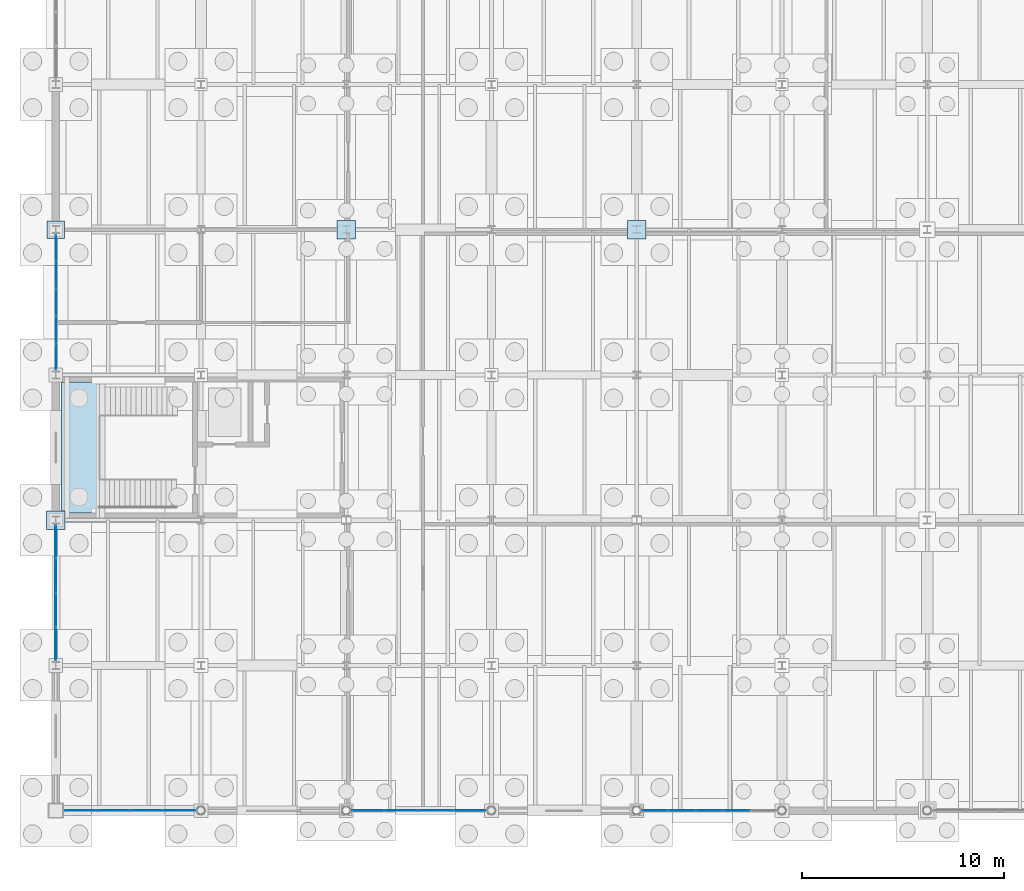
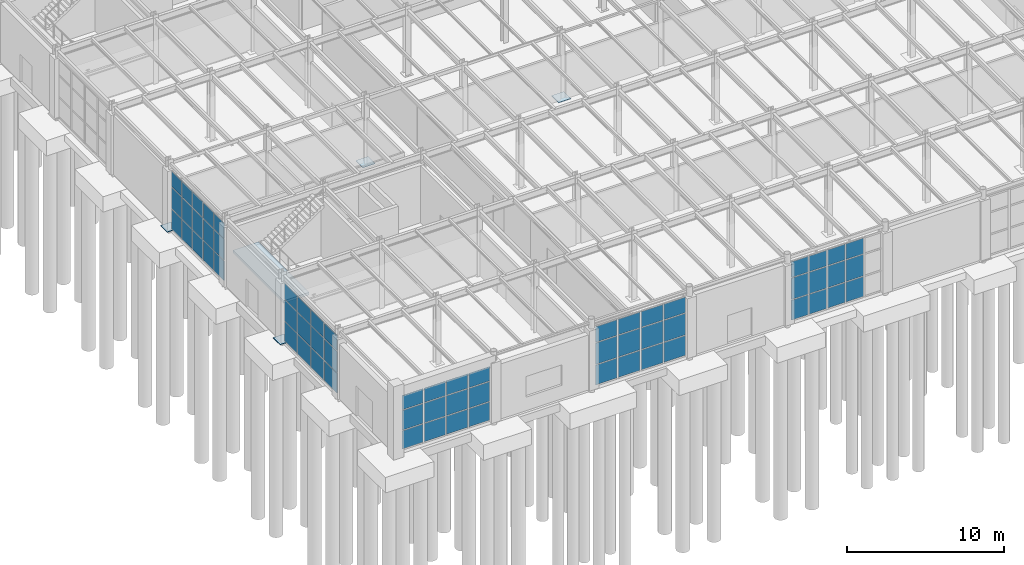
# One storey, part 232 of 293: 67 plates, 1 slab, 6 elements without a shape of their own.
"""IFC4 building model written with IfcOpenShell, lengths in metres."""

from ifc_helpers import new_model, si_unit, direction, frame, origin, origin_2d, place, context, subcontext, project, spatial, polyline, rectangle, outline, extrude, material, layer, layer_set, type_object, element, aggregate, save


model = new_model("IFC4")

# Units and contexts
model_context = context("Model", 3, precision=1e-05, world=origin(), true_north=direction((0.0, 1.0)))
body_context = subcontext(model_context, "Body", "Model", "MODEL_VIEW")
ifc_project = project(units=[si_unit("LENGTHUNIT", "METRE"), si_unit("AREAUNIT", "SQUARE_METRE"), si_unit("VOLUMEUNIT", "CUBIC_METRE"), si_unit("PLANEANGLEUNIT", "RADIAN"), si_unit("MASSUNIT", "GRAM", prefix="KILO")], contexts=[model_context])

# Site, building, storey
site_placement = place(None, origin())
site = spatial("IfcSite", under=ifc_project, at=site_placement, CompositionType="ELEMENT")
building_placement = place(site_placement, origin())
building = spatial("IfcBuilding", under=site, at=building_placement, Name="Kemerveld Promenade Tramway Depot", CompositionType="ELEMENT")
storey_placement = place(building_placement, origin())
storey = spatial("IfcBuildingStorey", under=building, at=storey_placement, Name="L00", CompositionType="ELEMENT", Elevation=0.0)

# Curtain wall, plates
ifc_material_1 = material(Name="Bronze anodised aluminium and solar glass", Category="aluminium")
ifc_layer_1 = layer(ifc_material_1, 0.159912109375)
ifc_layer_set_1 = layer_set([ifc_layer_1], Name="CW-SYS-09")
curtain_wall_type_1 = type_object("IfcCurtainWallType", Name="CW-SYS-09", PredefinedType="USERDEFINED", material=ifc_layer_set_1)
curtain_wall_1_placement = place(storey_placement, origin())
curtain_wall_1 = element("IfcCurtainWall", 1, at=curtain_wall_1_placement, inside=storey, type_object=curtain_wall_type_1, Name="CW-L00-V5S-06", ObjectType="GLAZED_CURTAIN_WALL", PredefinedType="USERDEFINED")
ifc_material_2 = material(Name="Solar-control laminated double glazing", Category="glass")
ifc_layer_2 = layer(ifc_material_2, 0.028076171875)
ifc_layer_set_2 = layer_set([ifc_layer_2], Name="CW-PNL-01")
plate_type_1 = type_object("IfcPlateType", Name="CW-PNL-01", PredefinedType="CURTAIN_PANEL", material=ifc_layer_set_2)
plate_1_placement = place(storey_placement, frame((20.516357421875, 0.0, 0.06005859375), z_axis=(0.0, 0.0, 1.0), x_axis=(-1.0, 0.0, 0.0)))
plate_1 = element("IfcPlate", 2, at=plate_1_placement, type_object=plate_type_1, Name="CW09 panel 1.1", PredefinedType="CURTAIN_PANEL", context=body_context, shape_type="SweptSolid", body=[
    extrude(rectangle(XDim=1.5908203125, YDim=0.028076171875, at=origin_2d()), origin(), (0.0, 0.0, 1.0), 1.537109375),
])
plate_2_placement = place(storey_placement, frame((20.516357421875, 0.0, 1.6572265625), z_axis=(0.0, 0.0, 1.0), x_axis=(-1.0, 0.0, 0.0)))
plate_2 = element("IfcPlate", 3, at=plate_2_placement, type_object=plate_type_1, Name="CW09 panel 1.2", PredefinedType="CURTAIN_PANEL", context=body_context, shape_type="SweptSolid", body=[
    extrude(rectangle(XDim=1.5908203125, YDim=0.028076171875, at=origin_2d()), origin(), (0.0, 0.0, 1.0), 1.660888671875),
])
plate_3_placement = place(storey_placement, frame((20.516357421875, 0.0, 3.3779296875), z_axis=(0.0, 0.0, 1.0), x_axis=(-1.0, 0.0, 0.0)))
plate_3 = element("IfcPlate", 4, at=plate_3_placement, type_object=plate_type_1, Name="CW09 panel 1.3", PredefinedType="CURTAIN_PANEL", context=body_context, shape_type="SweptSolid", body=[
    extrude(rectangle(XDim=1.5908203125, YDim=0.028076171875, at=origin_2d()), origin(), (0.0, 0.0, 1.0), 1.2119140625),
])
plate_4_placement = place(storey_placement, frame((18.84423828125, 0.0, 0.06005859375), z_axis=(0.0, 0.0, 1.0), x_axis=(-1.0, 0.0, 0.0)))
plate_4 = element("IfcPlate", 5, at=plate_4_placement, type_object=plate_type_1, Name="CW09 panel 2.1", PredefinedType="CURTAIN_PANEL", context=body_context, shape_type="SweptSolid", body=[
    extrude(rectangle(XDim=1.623291015625, YDim=0.028076171875, at=origin_2d()), origin(), (0.0, 0.0, 1.0), 1.537109375),
])
plate_5_placement = place(storey_placement, frame((18.84423828125, 0.0, 1.6572265625), z_axis=(0.0, 0.0, 1.0), x_axis=(-1.0, 0.0, 0.0)))
plate_5 = element("IfcPlate", 6, at=plate_5_placement, type_object=plate_type_1, Name="CW09 panel 2.2", PredefinedType="CURTAIN_PANEL", context=body_context, shape_type="SweptSolid", body=[
    extrude(rectangle(XDim=1.623291015625, YDim=0.028076171875, at=origin_2d()), origin(), (0.0, 0.0, 1.0), 1.660888671875),
])
plate_6_placement = place(storey_placement, frame((18.84423828125, 0.0, 3.3779296875), z_axis=(0.0, 0.0, 1.0), x_axis=(-1.0, 0.0, 0.0)))
plate_6 = element("IfcPlate", 7, at=plate_6_placement, type_object=plate_type_1, Name="CW09 panel 2.3", PredefinedType="CURTAIN_PANEL", context=body_context, shape_type="SweptSolid", body=[
    extrude(rectangle(XDim=1.623291015625, YDim=0.028076171875, at=origin_2d()), origin(), (0.0, 0.0, 1.0), 1.2119140625),
])
plate_7_placement = place(storey_placement, frame((17.15576171875, 0.0, 0.06005859375), z_axis=(0.0, 0.0, 1.0), x_axis=(-1.0, 0.0, 0.0)))
plate_7 = element("IfcPlate", 8, at=plate_7_placement, type_object=plate_type_1, Name="CW09 panel 3.1", PredefinedType="CURTAIN_PANEL", context=body_context, shape_type="SweptSolid", body=[
    extrude(rectangle(XDim=1.623291015625, YDim=0.028076171875, at=origin_2d()), origin(), (0.0, 0.0, 1.0), 1.537109375),
])
plate_8_placement = place(storey_placement, frame((17.15576171875, 0.0, 1.6572265625), z_axis=(0.0, 0.0, 1.0), x_axis=(-1.0, 0.0, 0.0)))
plate_8 = element("IfcPlate", 9, at=plate_8_placement, type_object=plate_type_1, Name="CW09 panel 3.2", PredefinedType="CURTAIN_PANEL", context=body_context, shape_type="SweptSolid", body=[
    extrude(rectangle(XDim=1.623291015625, YDim=0.028076171875, at=origin_2d()), origin(), (0.0, 0.0, 1.0), 1.660888671875),
])
plate_9_placement = place(storey_placement, frame((17.15576171875, 0.0, 3.3779296875), z_axis=(0.0, 0.0, 1.0), x_axis=(-1.0, 0.0, 0.0)))
plate_9 = element("IfcPlate", 10, at=plate_9_placement, type_object=plate_type_1, Name="CW09 panel 3.3", PredefinedType="CURTAIN_PANEL", context=body_context, shape_type="SweptSolid", body=[
    extrude(rectangle(XDim=1.623291015625, YDim=0.028076171875, at=origin_2d()), origin(), (0.0, 0.0, 1.0), 1.2119140625),
])
plate_10_placement = place(storey_placement, frame((15.483642578125, 0.0, 0.06005859375), z_axis=(0.0, 0.0, 1.0), x_axis=(-1.0, 0.0, 0.0)))
plate_10 = element("IfcPlate", 11, at=plate_10_placement, type_object=plate_type_1, Name="CW09 panel 4.1", PredefinedType="CURTAIN_PANEL", context=body_context, shape_type="SweptSolid", body=[
    extrude(rectangle(XDim=1.5908203125, YDim=0.028076171875, at=origin_2d()), origin(), (0.0, 0.0, 1.0), 1.537109375),
])
plate_11_placement = place(storey_placement, frame((15.483642578125, 0.0, 1.6572265625), z_axis=(0.0, 0.0, 1.0), x_axis=(-1.0, 0.0, 0.0)))
plate_11 = element("IfcPlate", 12, at=plate_11_placement, type_object=plate_type_1, Name="CW09 panel 4.2", PredefinedType="CURTAIN_PANEL", context=body_context, shape_type="SweptSolid", body=[
    extrude(rectangle(XDim=1.5908203125, YDim=0.028076171875, at=origin_2d()), origin(), (0.0, 0.0, 1.0), 1.660888671875),
])
plate_12_placement = place(storey_placement, frame((15.483642578125, 0.0, 3.3779296875), z_axis=(0.0, 0.0, 1.0), x_axis=(-1.0, 0.0, 0.0)))
plate_12 = element("IfcPlate", 13, at=plate_12_placement, type_object=plate_type_1, Name="CW09 panel 4.3", PredefinedType="CURTAIN_PANEL", context=body_context, shape_type="SweptSolid", body=[
    extrude(rectangle(XDim=1.5908203125, YDim=0.028076171875, at=origin_2d()), origin(), (0.0, 0.0, 1.0), 1.2119140625),
])
aggregate(curtain_wall_1, [plate_1, plate_2, plate_3, plate_4, plate_5, plate_6, plate_7, plate_8, plate_9, plate_10, plate_11, plate_12])

ifc_layer_3 = layer(ifc_material_1, 0.159912109375)
ifc_layer_set_3 = layer_set([ifc_layer_3], Name="CW-SYS-11")
curtain_wall_type_2 = type_object("IfcCurtainWallType", Name="CW-SYS-11", PredefinedType="USERDEFINED", material=ifc_layer_set_3)
curtain_wall_2_placement = place(storey_placement, origin())
curtain_wall_2 = element("IfcCurtainWall", 14, at=curtain_wall_2_placement, inside=storey, type_object=curtain_wall_type_2, Name="CW-L00-V5S-08", ObjectType="GLAZED_CURTAIN_WALL", PredefinedType="USERDEFINED")
ifc_layer_4 = layer(ifc_material_2, 0.028076171875)
ifc_layer_set_4 = layer_set([ifc_layer_4], Name="CW-PNL-03")
plate_type_2 = type_object("IfcPlateType", Name="CW-PNL-03", PredefinedType="CURTAIN_PANEL", material=ifc_layer_set_4)
plate_13_placement = place(storey_placement, frame((6.137939453125, 0.0, 0.06005859375), z_axis=(0.0, 0.0, 1.0), x_axis=(-1.0, 0.0, 0.0)))
plate_13 = element("IfcPlate", 15, at=plate_13_placement, type_object=plate_type_2, Name="CW11 panel 1.1", PredefinedType="CURTAIN_PANEL", context=body_context, shape_type="SweptSolid", body=[
    extrude(rectangle(XDim=1.5478515625, YDim=0.028076171875, at=origin_2d()), origin(), (0.0, 0.0, 1.0), 1.407958984375),
])
plate_14_placement = place(storey_placement, frame((6.137939453125, 0.0, 1.528076171875), z_axis=(0.0, 0.0, 1.0), x_axis=(-1.0, 0.0, 0.0)))
plate_14 = element("IfcPlate", 16, at=plate_14_placement, type_object=plate_type_2, Name="CW11 panel 1.2", PredefinedType="CURTAIN_PANEL", context=body_context, shape_type="SweptSolid", body=[
    extrude(rectangle(XDim=1.5478515625, YDim=0.028076171875, at=origin_2d()), origin(), (0.0, 0.0, 1.0), 1.52392578125),
])
plate_15_placement = place(storey_placement, frame((6.137939453125, 0.0, 3.112060546875), z_axis=(0.0, 0.0, 1.0), x_axis=(-1.0, 0.0, 0.0)))
plate_15 = element("IfcPlate", 17, at=plate_15_placement, type_object=plate_type_2, Name="CW11 panel 1.3", PredefinedType="CURTAIN_PANEL", context=body_context, shape_type="SweptSolid", body=[
    extrude(rectangle(XDim=1.5478515625, YDim=0.028076171875, at=origin_2d()), origin(), (0.0, 0.0, 1.0), 1.10791015625),
])
plate_16_placement = place(storey_placement, frame((4.508544921875, 0.0, 0.06005859375), z_axis=(0.0, 0.0, 1.0), x_axis=(-1.0, 0.0, 0.0)))
plate_16 = element("IfcPlate", 18, at=plate_16_placement, type_object=plate_type_2, Name="CW11 panel 2.1", PredefinedType="CURTAIN_PANEL", context=body_context, shape_type="SweptSolid", body=[
    extrude(rectangle(XDim=1.58056640625, YDim=0.028076171875, at=origin_2d()), origin(), (0.0, 0.0, 1.0), 1.407958984375),
])
plate_17_placement = place(storey_placement, frame((4.508544921875, 0.0, 1.528076171875), z_axis=(0.0, 0.0, 1.0), x_axis=(-1.0, 0.0, 0.0)))
plate_17 = element("IfcPlate", 19, at=plate_17_placement, type_object=plate_type_2, Name="CW11 panel 2.2", PredefinedType="CURTAIN_PANEL", context=body_context, shape_type="SweptSolid", body=[
    extrude(rectangle(XDim=1.58056640625, YDim=0.028076171875, at=origin_2d()), origin(), (0.0, 0.0, 1.0), 1.52392578125),
])
plate_18_placement = place(storey_placement, frame((4.508544921875, 0.0, 3.112060546875), z_axis=(0.0, 0.0, 1.0), x_axis=(-1.0, 0.0, 0.0)))
plate_18 = element("IfcPlate", 20, at=plate_18_placement, type_object=plate_type_2, Name="CW11 panel 2.3", PredefinedType="CURTAIN_PANEL", context=body_context, shape_type="SweptSolid", body=[
    extrude(rectangle(XDim=1.58056640625, YDim=0.028076171875, at=origin_2d()), origin(), (0.0, 0.0, 1.0), 1.10791015625),
])
plate_19_placement = place(storey_placement, frame((2.86328125, 0.0, 0.06005859375), z_axis=(0.0, 0.0, 1.0), x_axis=(-1.0, 0.0, 0.0)))
plate_19 = element("IfcPlate", 21, at=plate_19_placement, type_object=plate_type_2, Name="CW11 panel 3.1", PredefinedType="CURTAIN_PANEL", context=body_context, shape_type="SweptSolid", body=[
    extrude(rectangle(XDim=1.58056640625, YDim=0.028076171875, at=origin_2d()), origin(), (0.0, 0.0, 1.0), 1.407958984375),
])
plate_20_placement = place(storey_placement, frame((2.86328125, 0.0, 1.528076171875), z_axis=(0.0, 0.0, 1.0), x_axis=(-1.0, 0.0, 0.0)))
plate_20 = element("IfcPlate", 22, at=plate_20_placement, type_object=plate_type_2, Name="CW11 panel 3.2", PredefinedType="CURTAIN_PANEL", context=body_context, shape_type="SweptSolid", body=[
    extrude(rectangle(XDim=1.58056640625, YDim=0.028076171875, at=origin_2d()), origin(), (0.0, 0.0, 1.0), 1.52392578125),
])
plate_21_placement = place(storey_placement, frame((2.86328125, 0.0, 3.112060546875), z_axis=(0.0, 0.0, 1.0), x_axis=(-1.0, 0.0, 0.0)))
plate_21 = element("IfcPlate", 23, at=plate_21_placement, type_object=plate_type_2, Name="CW11 panel 3.3", PredefinedType="CURTAIN_PANEL", context=body_context, shape_type="SweptSolid", body=[
    extrude(rectangle(XDim=1.58056640625, YDim=0.028076171875, at=origin_2d()), origin(), (0.0, 0.0, 1.0), 1.10791015625),
])
plate_22_placement = place(storey_placement, frame((1.23388671875, 0.0, 0.06005859375), z_axis=(0.0, 0.0, 1.0), x_axis=(-1.0, 0.0, 0.0)))
plate_22 = element("IfcPlate", 24, at=plate_22_placement, type_object=plate_type_2, Name="CW11 panel 4.1", PredefinedType="CURTAIN_PANEL", context=body_context, shape_type="SweptSolid", body=[
    extrude(rectangle(XDim=1.5478515625, YDim=0.028076171875, at=origin_2d()), origin(), (0.0, 0.0, 1.0), 1.407958984375),
])
plate_23_placement = place(storey_placement, frame((1.23388671875, 0.0, 1.528076171875), z_axis=(0.0, 0.0, 1.0), x_axis=(-1.0, 0.0, 0.0)))
plate_23 = element("IfcPlate", 25, at=plate_23_placement, type_object=plate_type_2, Name="CW11 panel 4.2", PredefinedType="CURTAIN_PANEL", context=body_context, shape_type="SweptSolid", body=[
    extrude(rectangle(XDim=1.5478515625, YDim=0.028076171875, at=origin_2d()), origin(), (0.0, 0.0, 1.0), 1.52392578125),
])
plate_24_placement = place(storey_placement, frame((1.23388671875, 0.0, 3.112060546875), z_axis=(0.0, 0.0, 1.0), x_axis=(-1.0, 0.0, 0.0)))
plate_24 = element("IfcPlate", 26, at=plate_24_placement, type_object=plate_type_2, Name="CW11 panel 4.3", PredefinedType="CURTAIN_PANEL", context=body_context, shape_type="SweptSolid", body=[
    extrude(rectangle(XDim=1.5478515625, YDim=0.028076171875, at=origin_2d()), origin(), (0.0, 0.0, 1.0), 1.10791015625),
])
aggregate(curtain_wall_2, [plate_13, plate_14, plate_15, plate_16, plate_17, plate_18, plate_19, plate_20, plate_21, plate_22, plate_23, plate_24])

ifc_layer_5 = layer(ifc_material_1, 0.159912109375)
ifc_layer_set_5 = layer_set([ifc_layer_5], Name="CW-SYS-05")
curtain_wall_type_3 = type_object("IfcCurtainWallType", Name="CW-SYS-05", PredefinedType="USERDEFINED", material=ifc_layer_set_5)
curtain_wall_3_placement = place(storey_placement, origin())
curtain_wall_3 = element("IfcCurtainWall", 27, at=curtain_wall_3_placement, inside=storey, type_object=curtain_wall_type_3, Name="CW-L00-V5W-02", ObjectType="GLAZED_CURTAIN_WALL", PredefinedType="USERDEFINED")
ifc_layer_6 = layer(ifc_material_2, 0.031982421875)
ifc_layer_set_6 = layer_set([ifc_layer_6], Name="CW-PNL-05")
plate_type_3 = type_object("IfcPlateType", Name="CW-PNL-05", PredefinedType="CURTAIN_PANEL", material=ifc_layer_set_6)
plate_25_placement = place(storey_placement, frame((0.0, 8.27099609375, 0.06005859375), z_axis=(0.0, 0.0, 1.0), x_axis=(0.0, 1.0, 0.0)))
plate_25 = element("IfcPlate", 28, at=plate_25_placement, type_object=plate_type_3, Name="CW05 panel 1.1", PredefinedType="CURTAIN_PANEL", context=body_context, shape_type="SweptSolid", body=[
    extrude(rectangle(XDim=1.599365234375, YDim=0.031982421875, at=origin_2d()), origin(), (0.0, 0.0, 1.0), 1.51806640625),
])
plate_26_placement = place(storey_placement, frame((0.0, 8.27099609375, 1.63818359375), z_axis=(0.0, 0.0, 1.0), x_axis=(0.0, 1.0, 0.0)))
plate_26 = element("IfcPlate", 29, at=plate_26_placement, type_object=plate_type_3, Name="CW05 panel 1.2", PredefinedType="CURTAIN_PANEL", context=body_context, shape_type="SweptSolid", body=[
    extrude(rectangle(XDim=1.599365234375, YDim=0.031982421875, at=origin_2d()), origin(), (0.0, 0.0, 1.0), 1.638916015625),
])
plate_27_placement = place(storey_placement, frame((0.0, 8.27099609375, 3.337158203125), z_axis=(0.0, 0.0, 1.0), x_axis=(0.0, 1.0, 0.0)))
plate_27 = element("IfcPlate", 30, at=plate_27_placement, type_object=plate_type_3, Name="CW05 panel 1.3", PredefinedType="CURTAIN_PANEL", context=body_context, shape_type="SweptSolid", body=[
    extrude(rectangle(XDim=1.599365234375, YDim=0.031982421875, at=origin_2d()), origin(), (0.0, 0.0, 1.0), 1.1962890625),
])
plate_28_placement = place(storey_placement, frame((0.0, 9.95166015625, 0.06005859375), z_axis=(0.0, 0.0, 1.0), x_axis=(0.0, 1.0, 0.0)))
plate_28 = element("IfcPlate", 31, at=plate_28_placement, type_object=plate_type_3, Name="CW05 panel 2.1", PredefinedType="CURTAIN_PANEL", context=body_context, shape_type="SweptSolid", body=[
    extrude(rectangle(XDim=1.6318359375, YDim=0.031982421875, at=origin_2d()), origin(), (0.0, 0.0, 1.0), 1.51806640625),
])
plate_29_placement = place(storey_placement, frame((0.0, 9.95166015625, 1.63818359375), z_axis=(0.0, 0.0, 1.0), x_axis=(0.0, 1.0, 0.0)))
plate_29 = element("IfcPlate", 32, at=plate_29_placement, type_object=plate_type_3, Name="CW05 panel 2.2", PredefinedType="CURTAIN_PANEL", context=body_context, shape_type="SweptSolid", body=[
    extrude(rectangle(XDim=1.6318359375, YDim=0.031982421875, at=origin_2d()), origin(), (0.0, 0.0, 1.0), 1.638916015625),
])
plate_30_placement = place(storey_placement, frame((0.0, 9.95166015625, 3.337158203125), z_axis=(0.0, 0.0, 1.0), x_axis=(0.0, 1.0, 0.0)))
plate_30 = element("IfcPlate", 33, at=plate_30_placement, type_object=plate_type_3, Name="CW05 panel 2.3", PredefinedType="CURTAIN_PANEL", context=body_context, shape_type="SweptSolid", body=[
    extrude(rectangle(XDim=1.6318359375, YDim=0.031982421875, at=origin_2d()), origin(), (0.0, 0.0, 1.0), 1.1962890625),
])
plate_31_placement = place(storey_placement, frame((0.0, 11.6484375, 0.06005859375), z_axis=(0.0, 0.0, 1.0), x_axis=(0.0, 1.0, 0.0)))
plate_31 = element("IfcPlate", 34, at=plate_31_placement, type_object=plate_type_3, Name="CW05 panel 3.1", PredefinedType="CURTAIN_PANEL", context=body_context, shape_type="SweptSolid", body=[
    extrude(rectangle(XDim=1.6318359375, YDim=0.031982421875, at=origin_2d()), origin(), (0.0, 0.0, 1.0), 1.51806640625),
])
plate_32_placement = place(storey_placement, frame((0.0, 11.6484375, 1.63818359375), z_axis=(0.0, 0.0, 1.0), x_axis=(0.0, 1.0, 0.0)))
plate_32 = element("IfcPlate", 35, at=plate_32_placement, type_object=plate_type_3, Name="CW05 panel 3.2", PredefinedType="CURTAIN_PANEL", context=body_context, shape_type="SweptSolid", body=[
    extrude(rectangle(XDim=1.6318359375, YDim=0.031982421875, at=origin_2d()), origin(), (0.0, 0.0, 1.0), 1.638916015625),
])
plate_33_placement = place(storey_placement, frame((0.0, 11.6484375, 3.337158203125), z_axis=(0.0, 0.0, 1.0), x_axis=(0.0, 1.0, 0.0)))
plate_33 = element("IfcPlate", 36, at=plate_33_placement, type_object=plate_type_3, Name="CW05 panel 3.3", PredefinedType="CURTAIN_PANEL", context=body_context, shape_type="SweptSolid", body=[
    extrude(rectangle(XDim=1.6318359375, YDim=0.031982421875, at=origin_2d()), origin(), (0.0, 0.0, 1.0), 1.1962890625),
])
plate_34_placement = place(storey_placement, frame((0.0, 13.3291015625, 0.06005859375), z_axis=(0.0, 0.0, 1.0), x_axis=(0.0, 1.0, 0.0)))
plate_34 = element("IfcPlate", 37, at=plate_34_placement, type_object=plate_type_3, Name="CW05 panel 4.1", PredefinedType="CURTAIN_PANEL", context=body_context, shape_type="SweptSolid", body=[
    extrude(rectangle(XDim=1.599365234375, YDim=0.031982421875, at=origin_2d()), origin(), (0.0, 0.0, 1.0), 1.51806640625),
])
plate_35_placement = place(storey_placement, frame((0.0, 13.3291015625, 1.63818359375), z_axis=(0.0, 0.0, 1.0), x_axis=(0.0, 1.0, 0.0)))
plate_35 = element("IfcPlate", 38, at=plate_35_placement, type_object=plate_type_3, Name="CW05 panel 4.2", PredefinedType="CURTAIN_PANEL", context=body_context, shape_type="SweptSolid", body=[
    extrude(rectangle(XDim=1.599365234375, YDim=0.031982421875, at=origin_2d()), origin(), (0.0, 0.0, 1.0), 1.638916015625),
])
plate_36_placement = place(storey_placement, frame((0.0, 13.3291015625, 3.337158203125), z_axis=(0.0, 0.0, 1.0), x_axis=(0.0, 1.0, 0.0)))
plate_36 = element("IfcPlate", 39, at=plate_36_placement, type_object=plate_type_3, Name="CW05 panel 4.3", PredefinedType="CURTAIN_PANEL", context=body_context, shape_type="SweptSolid", body=[
    extrude(rectangle(XDim=1.599365234375, YDim=0.031982421875, at=origin_2d()), origin(), (0.0, 0.0, 1.0), 1.1962890625),
])
aggregate(curtain_wall_3, [plate_25, plate_26, plate_27, plate_28, plate_29, plate_30, plate_31, plate_32, plate_33, plate_34, plate_35, plate_36])

ifc_layer_7 = layer(ifc_material_1, 0.159912109375)
ifc_layer_set_7 = layer_set([ifc_layer_7], Name="CW-SYS-07")
curtain_wall_type_4 = type_object("IfcCurtainWallType", Name="CW-SYS-07", PredefinedType="USERDEFINED", material=ifc_layer_set_7)
curtain_wall_4_placement = place(storey_placement, origin())
curtain_wall_4 = element("IfcCurtainWall", 40, at=curtain_wall_4_placement, inside=storey, type_object=curtain_wall_type_4, Name="CW-L00-V5W-04", ObjectType="GLAZED_CURTAIN_WALL", PredefinedType="USERDEFINED")
ifc_layer_8 = layer(ifc_material_2, 0.030029296875)
ifc_layer_set_8 = layer_set([ifc_layer_8], Name="CW-PNL-07")
plate_type_4 = type_object("IfcPlateType", Name="CW-PNL-07", PredefinedType="CURTAIN_PANEL", material=ifc_layer_set_8)
plate_37_placement = place(storey_placement, frame((0.0, 22.501220703125, 0.06005859375), z_axis=(0.0, 0.0, 1.0), x_axis=(0.0, 1.0, 0.0)))
plate_37 = element("IfcPlate", 41, at=plate_37_placement, type_object=plate_type_4, Name="CW07 panel 1.1", PredefinedType="CURTAIN_PANEL", context=body_context, shape_type="SweptSolid", body=[
    extrude(rectangle(XDim=1.260009765625, YDim=0.030029296875, at=origin_2d()), origin(), (0.0, 0.0, 1.0), 1.51806640625),
])
plate_38_placement = place(storey_placement, frame((0.0, 22.501220703125, 1.63818359375), z_axis=(0.0, 0.0, 1.0), x_axis=(0.0, 1.0, 0.0)))
plate_38 = element("IfcPlate", 42, at=plate_38_placement, type_object=plate_type_4, Name="CW07 panel 1.2", PredefinedType="CURTAIN_PANEL", context=body_context, shape_type="SweptSolid", body=[
    extrude(rectangle(XDim=1.260009765625, YDim=0.030029296875, at=origin_2d()), origin(), (0.0, 0.0, 1.0), 1.638916015625),
])
plate_39_placement = place(storey_placement, frame((0.0, 22.501220703125, 3.337158203125), z_axis=(0.0, 0.0, 1.0), x_axis=(0.0, 1.0, 0.0)))
plate_39 = element("IfcPlate", 43, at=plate_39_placement, type_object=plate_type_4, Name="CW07 panel 1.3", PredefinedType="CURTAIN_PANEL", context=body_context, shape_type="SweptSolid", body=[
    extrude(rectangle(XDim=1.260009765625, YDim=0.030029296875, at=origin_2d()), origin(), (0.0, 0.0, 1.0), 1.1962890625),
])
plate_40_placement = place(storey_placement, frame((0.0, 23.842529296875, 0.06005859375), z_axis=(0.0, 0.0, 1.0), x_axis=(0.0, 1.0, 0.0)))
plate_40 = element("IfcPlate", 44, at=plate_40_placement, type_object=plate_type_4, Name="CW07 panel 2.1", PredefinedType="CURTAIN_PANEL", context=body_context, shape_type="SweptSolid", body=[
    extrude(rectangle(XDim=1.29248046875, YDim=0.030029296875, at=origin_2d()), origin(), (0.0, 0.0, 1.0), 1.51806640625),
])
plate_41_placement = place(storey_placement, frame((0.0, 23.842529296875, 1.63818359375), z_axis=(0.0, 0.0, 1.0), x_axis=(0.0, 1.0, 0.0)))
plate_41 = element("IfcPlate", 45, at=plate_41_placement, type_object=plate_type_4, Name="CW07 panel 2.2", PredefinedType="CURTAIN_PANEL", context=body_context, shape_type="SweptSolid", body=[
    extrude(rectangle(XDim=1.29248046875, YDim=0.030029296875, at=origin_2d()), origin(), (0.0, 0.0, 1.0), 1.638916015625),
])
plate_42_placement = place(storey_placement, frame((0.0, 23.842529296875, 3.337158203125), z_axis=(0.0, 0.0, 1.0), x_axis=(0.0, 1.0, 0.0)))
plate_42 = element("IfcPlate", 46, at=plate_42_placement, type_object=plate_type_4, Name="CW07 panel 2.3", PredefinedType="CURTAIN_PANEL", context=body_context, shape_type="SweptSolid", body=[
    extrude(rectangle(XDim=1.29248046875, YDim=0.030029296875, at=origin_2d()), origin(), (0.0, 0.0, 1.0), 1.1962890625),
])
plate_43_placement = place(storey_placement, frame((0.0, 25.199951171875, 0.06005859375), z_axis=(0.0, 0.0, 1.0), x_axis=(0.0, 1.0, 0.0)))
plate_43 = element("IfcPlate", 47, at=plate_43_placement, type_object=plate_type_4, Name="CW07 panel 3.1", PredefinedType="CURTAIN_PANEL", context=body_context, shape_type="SweptSolid", body=[
    extrude(rectangle(XDim=1.29248046875, YDim=0.030029296875, at=origin_2d()), origin(), (0.0, 0.0, 1.0), 1.51806640625),
])
plate_44_placement = place(storey_placement, frame((0.0, 25.199951171875, 1.63818359375), z_axis=(0.0, 0.0, 1.0), x_axis=(0.0, 1.0, 0.0)))
plate_44 = element("IfcPlate", 48, at=plate_44_placement, type_object=plate_type_4, Name="CW07 panel 3.2", PredefinedType="CURTAIN_PANEL", context=body_context, shape_type="SweptSolid", body=[
    extrude(rectangle(XDim=1.29248046875, YDim=0.030029296875, at=origin_2d()), origin(), (0.0, 0.0, 1.0), 1.638916015625),
])
plate_45_placement = place(storey_placement, frame((0.0, 25.199951171875, 3.337158203125), z_axis=(0.0, 0.0, 1.0), x_axis=(0.0, 1.0, 0.0)))
plate_45 = element("IfcPlate", 49, at=plate_45_placement, type_object=plate_type_4, Name="CW07 panel 3.3", PredefinedType="CURTAIN_PANEL", context=body_context, shape_type="SweptSolid", body=[
    extrude(rectangle(XDim=1.29248046875, YDim=0.030029296875, at=origin_2d()), origin(), (0.0, 0.0, 1.0), 1.1962890625),
])
plate_46_placement = place(storey_placement, frame((0.0, 26.557373046875, 0.06005859375), z_axis=(0.0, 0.0, 1.0), x_axis=(0.0, 1.0, 0.0)))
plate_46 = element("IfcPlate", 50, at=plate_46_placement, type_object=plate_type_4, Name="CW07 panel 4.1", PredefinedType="CURTAIN_PANEL", context=body_context, shape_type="SweptSolid", body=[
    extrude(rectangle(XDim=1.29248046875, YDim=0.030029296875, at=origin_2d()), origin(), (0.0, 0.0, 1.0), 1.51806640625),
])
plate_47_placement = place(storey_placement, frame((0.0, 26.557373046875, 1.63818359375), z_axis=(0.0, 0.0, 1.0), x_axis=(0.0, 1.0, 0.0)))
plate_47 = element("IfcPlate", 51, at=plate_47_placement, type_object=plate_type_4, Name="CW07 panel 4.2", PredefinedType="CURTAIN_PANEL", context=body_context, shape_type="SweptSolid", body=[
    extrude(rectangle(XDim=1.29248046875, YDim=0.030029296875, at=origin_2d()), origin(), (0.0, 0.0, 1.0), 1.638916015625),
])
plate_48_placement = place(storey_placement, frame((0.0, 26.557373046875, 3.337158203125), z_axis=(0.0, 0.0, 1.0), x_axis=(0.0, 1.0, 0.0)))
plate_48 = element("IfcPlate", 52, at=plate_48_placement, type_object=plate_type_4, Name="CW07 panel 4.3", PredefinedType="CURTAIN_PANEL", context=body_context, shape_type="SweptSolid", body=[
    extrude(rectangle(XDim=1.29248046875, YDim=0.030029296875, at=origin_2d()), origin(), (0.0, 0.0, 1.0), 1.1962890625),
])
plate_49_placement = place(storey_placement, frame((0.0, 27.898681640625, 0.06005859375), z_axis=(0.0, 0.0, 1.0), x_axis=(0.0, 1.0, 0.0)))
plate_49 = element("IfcPlate", 53, at=plate_49_placement, type_object=plate_type_4, Name="CW07 panel 5.1", PredefinedType="CURTAIN_PANEL", context=body_context, shape_type="SweptSolid", body=[
    extrude(rectangle(XDim=1.260009765625, YDim=0.030029296875, at=origin_2d()), origin(), (0.0, 0.0, 1.0), 1.51806640625),
])
plate_50_placement = place(storey_placement, frame((0.0, 27.898681640625, 1.63818359375), z_axis=(0.0, 0.0, 1.0), x_axis=(0.0, 1.0, 0.0)))
plate_50 = element("IfcPlate", 54, at=plate_50_placement, type_object=plate_type_4, Name="CW07 panel 5.2", PredefinedType="CURTAIN_PANEL", context=body_context, shape_type="SweptSolid", body=[
    extrude(rectangle(XDim=1.260009765625, YDim=0.030029296875, at=origin_2d()), origin(), (0.0, 0.0, 1.0), 1.638916015625),
])
plate_51_placement = place(storey_placement, frame((0.0, 27.898681640625, 3.337158203125), z_axis=(0.0, 0.0, 1.0), x_axis=(0.0, 1.0, 0.0)))
plate_51 = element("IfcPlate", 55, at=plate_51_placement, type_object=plate_type_4, Name="CW07 panel 5.3", PredefinedType="CURTAIN_PANEL", context=body_context, shape_type="SweptSolid", body=[
    extrude(rectangle(XDim=1.260009765625, YDim=0.030029296875, at=origin_2d()), origin(), (0.0, 0.0, 1.0), 1.1962890625),
])
aggregate(curtain_wall_4, [plate_37, plate_38, plate_39, plate_40, plate_41, plate_42, plate_43, plate_44, plate_45, plate_46, plate_47, plate_48, plate_49, plate_50, plate_51])

curtain_wall_5_placement = place(storey_placement, origin())
curtain_wall_5 = element("IfcCurtainWall", 56, at=curtain_wall_5_placement, inside=storey, type_object=curtain_wall_type_4, Name="CW-L00-V5S-04", ObjectType="GLAZED_CURTAIN_WALL", PredefinedType="USERDEFINED")
plate_52_placement = place(storey_placement, frame((33.750732421875, 0.0, 0.06005859375), z_axis=(0.0, 0.0, 1.0), x_axis=(-1.0, 0.0, 0.0)))
plate_52 = element("IfcPlate", 57, at=plate_52_placement, type_object=plate_type_4, Name="CW07 panel 2.1", PredefinedType="CURTAIN_PANEL", context=body_context, shape_type="SweptSolid", body=[
    extrude(rectangle(XDim=1.28564453125, YDim=0.030029296875, at=origin_2d()), origin(), (0.0, 0.0, 1.0), 1.537109375),
])
plate_53_placement = place(storey_placement, frame((33.750732421875, 0.0, 1.6572265625), z_axis=(0.0, 0.0, 1.0), x_axis=(-1.0, 0.0, 0.0)))
plate_53 = element("IfcPlate", 58, at=plate_53_placement, type_object=plate_type_4, Name="CW07 panel 2.2", PredefinedType="CURTAIN_PANEL", context=body_context, shape_type="SweptSolid", body=[
    extrude(rectangle(XDim=1.28564453125, YDim=0.030029296875, at=origin_2d()), origin(), (0.0, 0.0, 1.0), 1.660888671875),
])
plate_54_placement = place(storey_placement, frame((33.750732421875, 0.0, 3.3779296875), z_axis=(0.0, 0.0, 1.0), x_axis=(-1.0, 0.0, 0.0)))
plate_54 = element("IfcPlate", 59, at=plate_54_placement, type_object=plate_type_4, Name="CW07 panel 2.3", PredefinedType="CURTAIN_PANEL", context=body_context, shape_type="SweptSolid", body=[
    extrude(rectangle(XDim=1.28564453125, YDim=0.030029296875, at=origin_2d()), origin(), (0.0, 0.0, 1.0), 1.2119140625),
])
plate_55_placement = place(storey_placement, frame((32.39990234375, 0.0, 0.06005859375), z_axis=(0.0, 0.0, 1.0), x_axis=(-1.0, 0.0, 0.0)))
plate_55 = element("IfcPlate", 60, at=plate_55_placement, type_object=plate_type_4, Name="CW07 panel 3.1", PredefinedType="CURTAIN_PANEL", context=body_context, shape_type="SweptSolid", body=[
    extrude(rectangle(XDim=1.28564453125, YDim=0.030029296875, at=origin_2d()), origin(), (0.0, 0.0, 1.0), 1.537109375),
])
plate_56_placement = place(storey_placement, frame((32.39990234375, 0.0, 1.6572265625), z_axis=(0.0, 0.0, 1.0), x_axis=(-1.0, 0.0, 0.0)))
plate_56 = element("IfcPlate", 61, at=plate_56_placement, type_object=plate_type_4, Name="CW07 panel 3.2", PredefinedType="CURTAIN_PANEL", context=body_context, shape_type="SweptSolid", body=[
    extrude(rectangle(XDim=1.28564453125, YDim=0.030029296875, at=origin_2d()), origin(), (0.0, 0.0, 1.0), 1.660888671875),
])
plate_57_placement = place(storey_placement, frame((32.39990234375, 0.0, 3.3779296875), z_axis=(0.0, 0.0, 1.0), x_axis=(-1.0, 0.0, 0.0)))
plate_57 = element("IfcPlate", 62, at=plate_57_placement, type_object=plate_type_4, Name="CW07 panel 3.3", PredefinedType="CURTAIN_PANEL", context=body_context, shape_type="SweptSolid", body=[
    extrude(rectangle(XDim=1.28564453125, YDim=0.030029296875, at=origin_2d()), origin(), (0.0, 0.0, 1.0), 1.2119140625),
])
plate_58_placement = place(storey_placement, frame((31.04931640625, 0.0, 0.06005859375), z_axis=(0.0, 0.0, 1.0), x_axis=(-1.0, 0.0, 0.0)))
plate_58 = element("IfcPlate", 63, at=plate_58_placement, type_object=plate_type_4, Name="CW07 panel 4.1", PredefinedType="CURTAIN_PANEL", context=body_context, shape_type="SweptSolid", body=[
    extrude(rectangle(XDim=1.28564453125, YDim=0.030029296875, at=origin_2d()), origin(), (0.0, 0.0, 1.0), 1.537109375),
])
plate_59_placement = place(storey_placement, frame((31.04931640625, 0.0, 1.6572265625), z_axis=(0.0, 0.0, 1.0), x_axis=(-1.0, 0.0, 0.0)))
plate_59 = element("IfcPlate", 64, at=plate_59_placement, type_object=plate_type_4, Name="CW07 panel 4.2", PredefinedType="CURTAIN_PANEL", context=body_context, shape_type="SweptSolid", body=[
    extrude(rectangle(XDim=1.28564453125, YDim=0.030029296875, at=origin_2d()), origin(), (0.0, 0.0, 1.0), 1.660888671875),
])
plate_60_placement = place(storey_placement, frame((31.04931640625, 0.0, 3.3779296875), z_axis=(0.0, 0.0, 1.0), x_axis=(-1.0, 0.0, 0.0)))
plate_60 = element("IfcPlate", 65, at=plate_60_placement, type_object=plate_type_4, Name="CW07 panel 4.3", PredefinedType="CURTAIN_PANEL", context=body_context, shape_type="SweptSolid", body=[
    extrude(rectangle(XDim=1.28564453125, YDim=0.030029296875, at=origin_2d()), origin(), (0.0, 0.0, 1.0), 1.2119140625),
])
plate_61_placement = place(storey_placement, frame((29.71484375, 0.0, 0.06005859375), z_axis=(0.0, 0.0, 1.0), x_axis=(-1.0, 0.0, 0.0)))
plate_61 = element("IfcPlate", 66, at=plate_61_placement, type_object=plate_type_4, Name="CW07 panel 5.1", PredefinedType="CURTAIN_PANEL", context=body_context, shape_type="SweptSolid", body=[
    extrude(rectangle(XDim=1.253173828125, YDim=0.030029296875, at=origin_2d()), origin(), (0.0, 0.0, 1.0), 1.537109375),
])
plate_62_placement = place(storey_placement, frame((29.71484375, 0.0, 1.6572265625), z_axis=(0.0, 0.0, 1.0), x_axis=(-1.0, 0.0, 0.0)))
plate_62 = element("IfcPlate", 67, at=plate_62_placement, type_object=plate_type_4, Name="CW07 panel 5.2", PredefinedType="CURTAIN_PANEL", context=body_context, shape_type="SweptSolid", body=[
    extrude(rectangle(XDim=1.253173828125, YDim=0.030029296875, at=origin_2d()), origin(), (0.0, 0.0, 1.0), 1.660888671875),
])
plate_63_placement = place(storey_placement, frame((29.71484375, 0.0, 3.3779296875), z_axis=(0.0, 0.0, 1.0), x_axis=(-1.0, 0.0, 0.0)))
plate_63 = element("IfcPlate", 68, at=plate_63_placement, type_object=plate_type_4, Name="CW07 panel 5.3", PredefinedType="CURTAIN_PANEL", context=body_context, shape_type="SweptSolid", body=[
    extrude(rectangle(XDim=1.253173828125, YDim=0.030029296875, at=origin_2d()), origin(), (0.0, 0.0, 1.0), 1.2119140625),
])
aggregate(curtain_wall_5, [plate_52, plate_53, plate_54, plate_55, plate_56, plate_57, plate_58, plate_59, plate_60, plate_61, plate_62, plate_63])

# Plates
ifc_material_3 = material(Name="Steel S355", Category="steel")
ifc_layer_9 = layer(ifc_material_3, 0.044921875)
ifc_layer_set_9 = layer_set([ifc_layer_9], Name="PL-BP01")
plate_type_5 = type_object("IfcPlateType", Name="PL-BP01", PredefinedType="USERDEFINED", material=ifc_layer_set_9)
for number, where, z_axis, x_axis, name in (
    (69, (0.0, 14.39990234375, 0.0), (0.0, 0.0, 1.0), (1.0, 0.0, 0.0), "BP-01-C"),
    (70, (14.39990234375, 28.800048828125, 0.0), (0.0, 0.0, 1.0), (1.0, 0.0, 0.0), "BP-03-E"),
    (71, (28.800048828125, 28.800048828125, 0.0), (0.0, 0.0, 1.0), (1.0, 0.0, 0.0), "BP-05-E"),
):
    element("IfcPlate", number, at=place(storey_placement, frame(where, z_axis=z_axis, x_axis=x_axis)), inside=storey, type_object=plate_type_5, Name=name, ObjectType="BASE_PLATE", PredefinedType="USERDEFINED", context=body_context, shape_type="SweptSolid", body=[
        extrude(rectangle(XDim=0.89990234375, YDim=0.89990234375, at=origin_2d()), origin(), (0.0, 0.0, 1.0), 0.044921875),
    ])
ifc_layer_10 = layer(ifc_material_3, 0.0400390625)
ifc_layer_set_10 = layer_set([ifc_layer_10], Name="PL-BP02")
plate_type_6 = type_object("IfcPlateType", Name="PL-BP02", PredefinedType="USERDEFINED", material=ifc_layer_set_10)
plate_64_placement = place(storey_placement, frame((0.0, 28.800048828125, 0.0), z_axis=(0.0, 0.0, 1.0), x_axis=(1.0, 0.0, 0.0)))
element("IfcPlate", 72, at=plate_64_placement, inside=storey, type_object=plate_type_6, Name="BP-01-E", ObjectType="BASE_PLATE", PredefinedType="USERDEFINED", context=body_context, shape_type="SweptSolid", body=[
    extrude(rectangle(XDim=0.85009765625, YDim=0.85009765625, at=origin_2d()), origin(), (0.0, 0.0, 1.0), 0.0400390625),
])

# Stair, slab
ifc_material_4 = material(Name="Concrete C40/50", Category="concrete")
stair_type = type_object("IfcStairType", Name="STR-HT-L00", PredefinedType="HALF_TURN_STAIR", material=ifc_material_4)
stair_placement = place(storey_placement, origin())
stair = element("IfcStair", 73, at=stair_placement, inside=storey, type_object=stair_type, Name="ST-01-L00", PredefinedType="HALF_TURN_STAIR")
ifc_layer_11 = layer(ifc_material_4, 0.199951171875)
ifc_layer_set_11 = layer_set([ifc_layer_11], Name="SL-LND-200")
slab_type = type_object("IfcSlabType", Name="SL-LND-200", PredefinedType="LANDING", material=ifc_layer_set_11)
slab_placement = place(storey_placement, frame((0.0, 0.0, 2.5)))
slab = element("IfcSlab", 74, at=slab_placement, type_object=slab_type, Name="ST-01-L00 landing 1", PredefinedType="LANDING", context=body_context, shape_type="SweptSolid", body=[
    extrude(outline(polyline([(0.280029296875, 14.760009765625), (2.159912109375, 14.760009765625), (2.159912109375, 21.239990234375), (0.280029296875, 21.239990234375), (0.280029296875, 14.760009765625)])), origin(), (0.0, 0.0, 1.0), 0.199951171875),
])
aggregate(stair, [slab])

save(model, "model.ifc")
